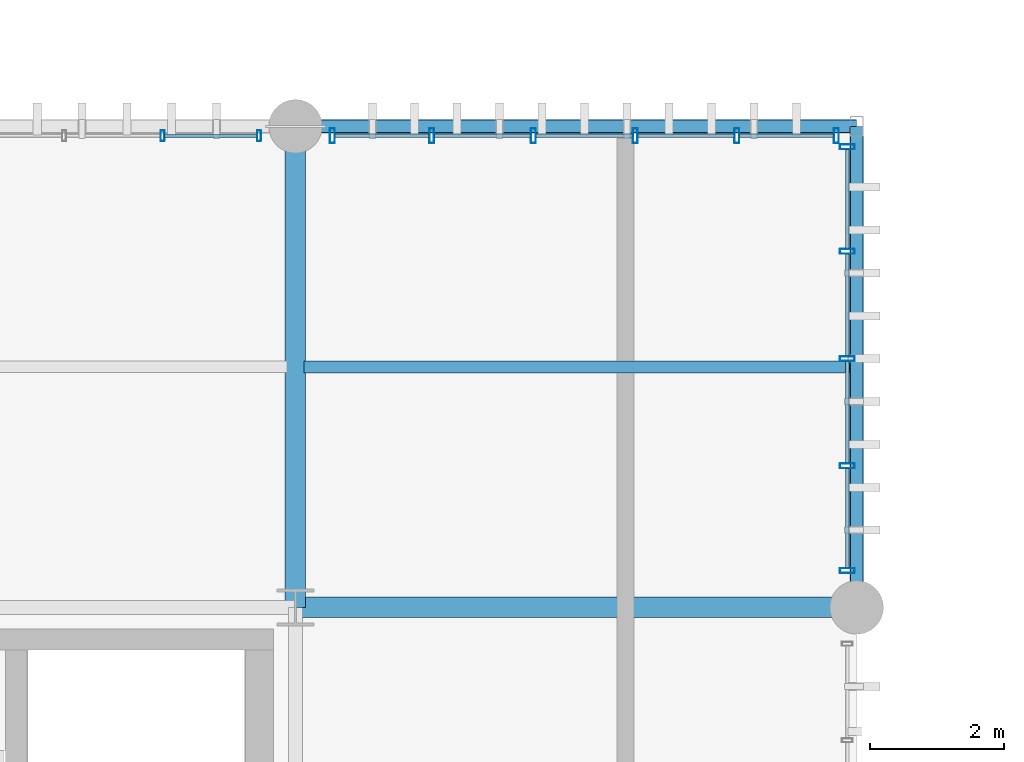
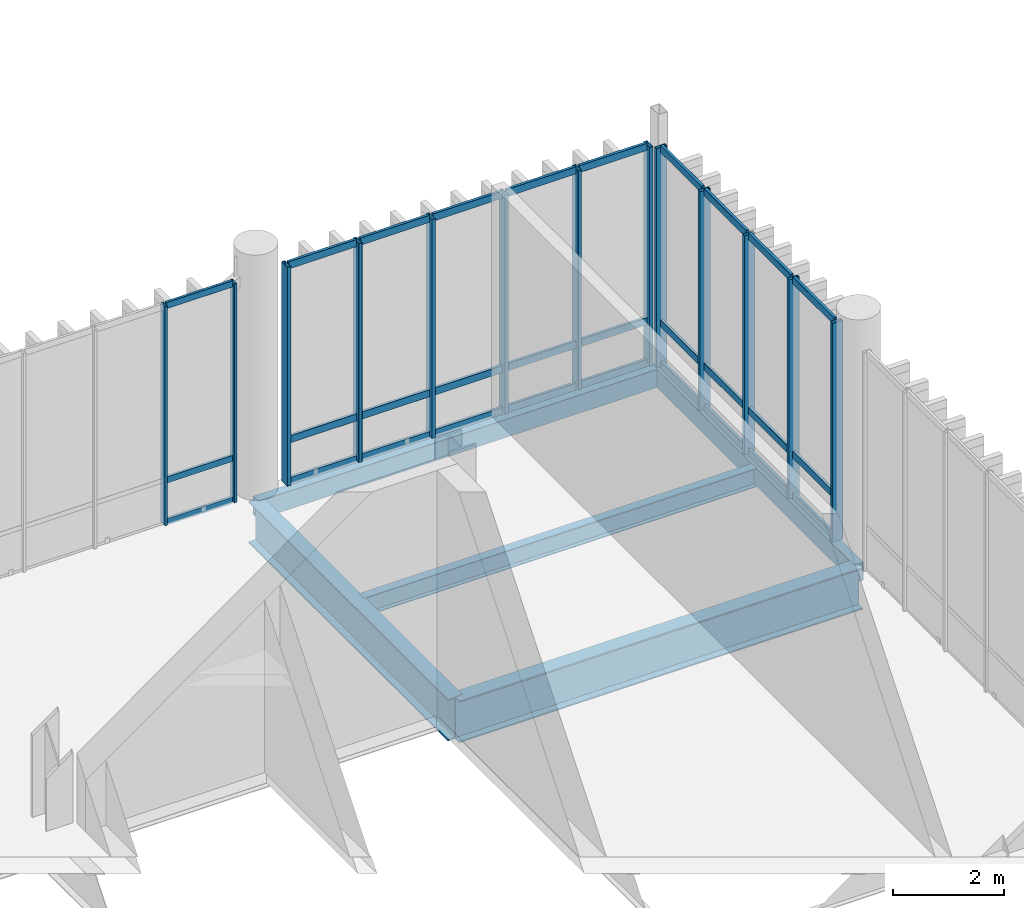
# One storey, part 68 of 128: 43 members, 5 beams, 3 elements without a shape of their own.
"""IFC4 building model written with IfcOpenShell, lengths in metres."""

import ifcopenshell
import ifcopenshell.guid

model = None  # the IFC model being written
_history = None  # IfcOwnerHistory: only IFC2X3 demands one
_inside = {}  # id of a spatial element -> (the spatial element, [elements in it])
_under = {}  # id of a project, library or spatial element -> (it, [spatial elements below it])
_declared = {}  # id of a project -> (the project, [libraries it declares])
_typed = {}  # id of a type object -> (the type object, [elements of that type])
_made_of = {}  # id of a material, layer set ... -> (it, [elements and type objects made of it])


def new_model(schema):
    """Start an empty IFC model of exactly this schema.

    Asked for "IFC4X3", IfcOpenShell would pick the latest addendum, in which some entities
    have other attributes; the version numbers below select the first issue.
    IFC2X3 requires an IfcOwnerHistory on every rooted entity: one is made here for all.
    """
    global model, _history
    if schema == "IFC4X3":
        model = ifcopenshell.file(schema_version=(4, 3, 0, 0))
    else:
        model = ifcopenshell.file(schema=schema)
    _inside.clear()
    _under.clear()
    _declared.clear()
    _typed.clear()
    _made_of.clear()
    _history = None
    if model.schema == "IFC2X3":
        org = make("IfcOrganization", Name="unknown")
        user = make(
            "IfcPersonAndOrganization",
            ThePerson=make("IfcPerson", FamilyName="unknown"),
            TheOrganization=org,
        )
        app = make(
            "IfcApplication",
            ApplicationDeveloper=org,
            Version="unknown",
            ApplicationFullName="unknown",
            ApplicationIdentifier="unknown",
        )
        _history = make(
            "IfcOwnerHistory",
            OwningUser=user,
            OwningApplication=app,
            ChangeAction="ADDED",
            CreationDate=0,
        )
    return model


def make(cls, **values):
    """One entity of the class cls with the attributes given. An attribute that is None is left unset."""
    return model.create_entity(
        cls, **{name: value for name, value in values.items() if value is not None}
    )


def rooted(cls, **values):
    """An entity with a GlobalId (a new one), such as an element, a storey or a relation."""
    return make(cls, GlobalId=ifcopenshell.guid.new(), OwnerHistory=_history, **values)


def si_unit(unit_type, name, prefix=None):
    """IfcSIUnit, for example si_unit("LENGTHUNIT", "METRE", prefix="MILLI")."""
    return make("IfcSIUnit", UnitType=unit_type, Prefix=prefix, Name=name)


def assignment(units):
    """IfcUnitAssignment: the units of a project."""
    return None if units is None else make("IfcUnitAssignment", Units=units)


def point(xyz):
    """IfcCartesianPoint."""
    return None if xyz is None else make("IfcCartesianPoint", Coordinates=xyz)


def direction(xyz):
    """IfcDirection."""
    return None if xyz is None else make("IfcDirection", DirectionRatios=xyz)


def frame(location, z_axis=None, x_axis=None):
    """IfcAxis2Placement3D, a coordinate frame: its origin and axes. An axis left out is left unset."""
    return make(
        "IfcAxis2Placement3D",
        Location=point(location),
        Axis=direction(z_axis),
        RefDirection=direction(x_axis),
    )


def frame_2d(location, x_axis=None):
    """IfcAxis2Placement2D, a coordinate frame in the plane: its origin and x axis."""
    return make(
        "IfcAxis2Placement2D", Location=point(location), RefDirection=direction(x_axis)
    )


def origin_with_axes():
    """The frame at (0, 0, 0) with the z axis (0, 0, 1) and the x axis (1, 0, 0) written out."""
    return frame((0.0, 0.0, 0.0), z_axis=(0.0, 0.0, 1.0), x_axis=(1.0, 0.0, 0.0))


def origin_2d_with_axis():
    """The frame at (0, 0) in the plane with the x axis (1, 0) written out."""
    return frame_2d((0.0, 0.0), x_axis=(1.0, 0.0))


def place(relative_to, where):
    """IfcLocalPlacement: puts the frame where relative to a parent placement (None: the world)."""
    return make(
        "IfcLocalPlacement", PlacementRelTo=relative_to, RelativePlacement=where
    )


def context(
    kind, dimensions, precision=None, world=None, true_north=None, identifier=None
):
    """IfcGeometricRepresentationContext, for example the 3D "Model" context."""
    return make(
        "IfcGeometricRepresentationContext",
        ContextIdentifier=identifier,
        ContextType=kind,
        CoordinateSpaceDimension=dimensions,
        Precision=precision,
        WorldCoordinateSystem=world,
        TrueNorth=true_north,
    )


def subcontext(parent, identifier, kind, view, scale=None):
    """IfcGeometricRepresentationSubContext, for example "Body" below "Model"."""
    return make(
        "IfcGeometricRepresentationSubContext",
        ContextIdentifier=identifier,
        ContextType=kind,
        ParentContext=parent,
        TargetScale=scale,
        TargetView=view,
    )


def project(units=None, contexts=None):
    """IfcProject with its units and contexts."""
    return rooted(
        "IfcProject",
        Name="project",
        RepresentationContexts=contexts,
        UnitsInContext=assignment(units),
    )


def spatial(cls, under=None, at=None, **own):
    """A site, building, storey or space (cls), placed at a placement, below another one or the project."""
    s = rooted(cls, ObjectPlacement=at, **own)
    if under is not None:
        _under.setdefault(under.id(), (under, []))[1].append(s)
    return s


def profile(cls, at=None, kind="AREA", **sizes):
    """A parametric profile (cls). Its sizes go by their IFC names, for example OverallWidth=200.0."""
    return make(cls, ProfileType=kind, Position=at, **sizes)


def hollow_rectangle(**sizes):
    """IfcRectangleHollowProfileDef."""
    return profile("IfcRectangleHollowProfileDef", **sizes)


def i_section(**sizes):
    """IfcIShapeProfileDef."""
    return profile("IfcIShapeProfileDef", **sizes)


def extrude(swept, where, along, depth):
    """IfcExtrudedAreaSolid: the profile swept, set in the frame where, extruded along a direction by depth."""
    return make(
        "IfcExtrudedAreaSolid",
        SweptArea=swept,
        Position=where,
        ExtrudedDirection=direction(along),
        Depth=depth,
    )


def shape(context_of_items, identifier, shape_type, items):
    """IfcShapeRepresentation: the items that make up one representation, for example the "Body"."""
    return make(
        "IfcShapeRepresentation",
        ContextOfItems=context_of_items,
        RepresentationIdentifier=identifier,
        RepresentationType=shape_type,
        Items=items,
    )


def material(Name=None, Category=None):
    """IfcMaterial."""
    return make("IfcMaterial", Name=Name, Category=Category)


def material_profile(
    of_material, cross_section, Name=None, Category=None, Priority=None
):
    """IfcMaterialProfile: a cross section and its material."""
    return make(
        "IfcMaterialProfile",
        Name=Name,
        Material=of_material,
        Profile=cross_section,
        Priority=Priority,
        Category=Category,
    )


def profile_set(profiles, Name=None, composite=None):
    """IfcMaterialProfileSet."""
    return make(
        "IfcMaterialProfileSet",
        Name=Name,
        MaterialProfiles=profiles,
        CompositeProfile=composite,
    )


def made_of(thing, what):
    """Note that an element or type object is made of a material, layer set ...; save() writes the relation."""
    if what is not None:
        _made_of.setdefault(what.id(), (what, []))[1].append(thing)
    return thing


def type_object(cls, material=None, **own):
    """A type object (cls), such as IfcWallType, which elements share."""
    return made_of(rooted(cls, **own), material)


def element(
    cls,
    number,
    at=None,
    inside=None,
    cuts=None,
    type_object=None,
    material=None,
    context=None,
    identifier="Body",
    shape_type=None,
    held_by="IfcProductDefinitionShape",
    body=None,
    shapes=None,
    **own,
):
    """One element of the class cls, such as IfcWall. Its Tag is "e" and its number.

    at: its placement. inside: the storey or other place that contains it. cuts: it is an
    opening in that element (IfcRelVoidsElement). A single representation is given by context,
    identifier, shape_type and body (its items); several are given by shapes. held_by: the class
    of the entity that holds the representations. save() writes the other relations.
    """
    e = rooted(cls, Tag="e%d" % number, ObjectPlacement=at, **own)
    if body is not None:
        shapes = [shape(context, identifier, shape_type, body)]
    if shapes is not None:
        e.Representation = make(held_by, Representations=shapes)
    if inside is not None:
        _inside.setdefault(inside.id(), (inside, []))[1].append(e)
    if cuts is not None:
        rooted(
            "IfcRelVoidsElement", RelatingBuildingElement=cuts, RelatedOpeningElement=e
        )
    if type_object is not None:
        _typed.setdefault(type_object.id(), (type_object, []))[1].append(e)
    return made_of(e, material)


def aggregate(whole, parts):
    """IfcRelAggregates: a whole, such as a stair, and the parts it consists of."""
    return rooted("IfcRelAggregates", RelatingObject=whole, RelatedObjects=parts)


def save(model, path):
    """Write the relations noted so far, then the file.

    IfcRelAggregates (storeys below a building ...), IfcRelContainedInSpatialStructure (elements
    in a storey), IfcRelDefinesByType, IfcRelAssociatesMaterial and IfcRelDeclares: one each for
    every whole, place, type object, material and project.
    """
    for whole, parts in _under.values():
        aggregate(whole, parts)
    for where, things in _inside.values():
        rooted(
            "IfcRelContainedInSpatialStructure",
            RelatedElements=things,
            RelatingStructure=where,
        )
    for kind, things in _typed.values():
        rooted("IfcRelDefinesByType", RelatedObjects=things, RelatingType=kind)
    for what, things in _made_of.values():
        rooted("IfcRelAssociatesMaterial", RelatedObjects=things, RelatingMaterial=what)
    for by, libraries in _declared.values():
        rooted("IfcRelDeclares", RelatingContext=by, RelatedDefinitions=libraries)
    model.write(path)


model = new_model("IFC4")

# Units and contexts
model_context = context("Model", 3, precision=1e-05, world=origin_with_axes(), true_north=direction((0.0, 1.0)))
body_context = subcontext(model_context, "Body", "Model", "MODEL_VIEW")
ifc_project = project(units=[si_unit("LENGTHUNIT", "METRE"), si_unit("AREAUNIT", "SQUARE_METRE"), si_unit("VOLUMEUNIT", "CUBIC_METRE"), si_unit("PLANEANGLEUNIT", "RADIAN"), si_unit("MASSUNIT", "GRAM", prefix="KILO"), si_unit("THERMODYNAMICTEMPERATUREUNIT", "KELVIN")], contexts=[model_context])

# Site, building, storey
site_placement = place(None, origin_with_axes())
site = spatial("IfcSite", under=ifc_project, at=site_placement, CompositionType="ELEMENT")
building_placement = place(site_placement, origin_with_axes())
building = spatial("IfcBuilding", under=site, at=building_placement, Name="Montbau Bow Law Courts", CompositionType="ELEMENT")
storey_placement = place(building_placement, frame((0.0, 0.0, 5.4), z_axis=(0.0, 0.0, 1.0), x_axis=(1.0, 0.0, 0.0)))
storey = spatial("IfcBuildingStorey", under=building, at=storey_placement, Name="L01", CompositionType="ELEMENT", Elevation=5.4)

# Beams
ifc_material_1 = material(Name="Steel CSA G40.21 Grade 350W (350 MPa)", Category="steel")
ifc_material_profile_1 = material_profile(ifc_material_1, i_section(OverallWidth=0.306, OverallDepth=0.919, WebThickness=0.0173, FlangeThickness=0.0279, at=origin_2d_with_axis()), Name="W920X253", Category="Main", Priority=0)
ifc_profile_set_1 = profile_set([ifc_material_profile_1], Name="Steel CSA G40.21 Grade 350W (350 MPa)")
beam_type_1 = type_object("IfcBeamType", Name="B-FLR-01", PredefinedType="BEAM", material=ifc_profile_set_1)
beam_1_placement = place(None, frame((88.8, 54.6, 4.7), z_axis=(1.0, 0.0, 0.0), x_axis=(0.0, 1.0, 0.0)))
element("IfcBeam", 1, at=beam_1_placement, inside=storey, type_object=beam_type_1, Name="BM-L01-S0815:bm2_0818", PredefinedType="BEAM", context=body_context, shape_type="SweptSolid", body=[
    extrude(i_section(OverallWidth=0.306, OverallDepth=0.919, WebThickness=0.0173, FlangeThickness=0.0279, at=origin_2d_with_axis()), origin_with_axes(), (0.0, 0.0, 1.0), 8.4),
])
beam_2_placement = place(None, frame((88.8, 54.6, 4.7), z_axis=(0.0, 1.0, 0.0), x_axis=(-1.0, 0.0, 0.0)))
element("IfcBeam", 2, at=beam_2_placement, inside=storey, type_object=beam_type_1, Name="BM-L01-S0836:bm2_0839", PredefinedType="BEAM", context=body_context, shape_type="SweptSolid", body=[
    extrude(i_section(OverallWidth=0.306, OverallDepth=0.919, WebThickness=0.0173, FlangeThickness=0.0279, at=origin_2d_with_axis()), origin_with_axes(), (0.0, 0.0, 1.0), 7.2),
])
ifc_material_profile_2 = material_profile(ifc_material_1, i_section(OverallWidth=0.179, OverallDepth=0.41, WebThickness=0.0088, FlangeThickness=0.0144, at=origin_2d_with_axis()), Name="W410X67", Category="Main", Priority=0)
ifc_profile_set_2 = profile_set([ifc_material_profile_2], Name="Steel CSA G40.21 Grade 350W (350 MPa)")
beam_type_2 = type_object("IfcBeamType", Name="B-JST-02", PredefinedType="JOIST", material=ifc_profile_set_2)
beam_3_placement = place(None, frame((88.929, 58.2, 4.955), z_axis=(1.0, 0.0, 0.0), x_axis=(0.0, 1.0, 0.0)))
element("IfcBeam", 3, at=beam_3_placement, inside=storey, type_object=beam_type_2, Name="JST-L01-S0433:jst2_0433", PredefinedType="JOIST", context=body_context, shape_type="SweptSolid", body=[
    extrude(i_section(OverallWidth=0.179, OverallDepth=0.41, WebThickness=0.0088, FlangeThickness=0.0144, at=origin_2d_with_axis()), origin_with_axes(), (0.0, 0.0, 1.0), 8.191),
])
ifc_material_2 = material(Name="Steel CSA G40.21 Grade 350WT (350 MPa)", Category="steel")
ifc_material_profile_3 = material_profile(ifc_material_2, hollow_rectangle(XDim=0.203, YDim=0.406, WallThickness=0.0127, InnerFilletRadius=0.0254, OuterFilletRadius=0.0127, at=origin_2d_with_axis()), Name="HSS406X203X13", Category="Main", Priority=0)
ifc_profile_set_3 = profile_set([ifc_material_profile_3], Name="Steel CSA G40.21 Grade 350WT (350 MPa)")
beam_type_3 = type_object("IfcBeamType", Name="B-SPN-01", PredefinedType="SPANDREL", material=ifc_profile_set_3)
beam_4_placement = place(None, frame((88.8, 61.8, 4.957), z_axis=(1.0, 0.0, 0.0), x_axis=(0.0, 1.0, 0.0)))
element("IfcBeam", 4, at=beam_4_placement, inside=storey, type_object=beam_type_3, Name="SPN-L01-S0821:bm2_0824", PredefinedType="SPANDREL", context=body_context, shape_type="SweptSolid", body=[
    extrude(hollow_rectangle(XDim=0.203, YDim=0.406, WallThickness=0.0127, InnerFilletRadius=0.0254, OuterFilletRadius=0.0127, at=origin_2d_with_axis()), origin_with_axes(), (0.0, 0.0, 1.0), 8.4),
])
beam_5_placement = place(None, frame((97.2, 54.6, 4.957), z_axis=(0.0, 1.0, 0.0), x_axis=(-1.0, 0.0, 0.0)))
element("IfcBeam", 5, at=beam_5_placement, inside=storey, type_object=beam_type_3, Name="SPN-L01-S0838:bm2_0841", PredefinedType="SPANDREL", context=body_context, shape_type="SweptSolid", body=[
    extrude(hollow_rectangle(XDim=0.203, YDim=0.406, WallThickness=0.0127, InnerFilletRadius=0.0254, OuterFilletRadius=0.0127, at=origin_2d_with_axis()), origin_with_axes(), (0.0, 0.0, 1.0), 7.2),
])

# Curtain wall, members
ifc_material_3 = material(Name="Thermally Broken Extruded Aluminium AA 6063-T6", Category="aluminium")
curtain_wall_type = type_object("IfcCurtainWallType", Name="CW-CRM-01", PredefinedType="NOTDEFINED", material=ifc_material_3)
curtain_wall_1_placement = place(None, frame((89.315, 61.66, 5.4), z_axis=(0.0, 0.0, 1.0), x_axis=(1.0, 0.0, 0.0)))
curtain_wall_1 = element("IfcCurtainWall", 6, at=curtain_wall_1_placement, inside=storey, type_object=curtain_wall_type, Name="CW-L01-150:cw_0150", PredefinedType="NOTDEFINED")
ifc_material_profile_4 = material_profile(ifc_material_3, hollow_rectangle(XDim=0.075, YDim=0.22, WallThickness=0.005, InnerFilletRadius=0.01, OuterFilletRadius=0.005, at=origin_2d_with_axis()), Name="CWM-220X75", Category="Main", Priority=0)
ifc_profile_set_4 = profile_set([ifc_material_profile_4], Name="Thermally Broken Extruded Aluminium AA 6063-T6")
member_type_1 = type_object("IfcMemberType", Name="M-MUL-01", PredefinedType="MULLION", material=ifc_profile_set_4)
member_1_placement = place(None, frame((89.352, 61.66, 5.4), z_axis=(0.0, 0.0, 1.0), x_axis=(1.0, 0.0, 0.0)))
member_1 = element("IfcMember", 7, at=member_1_placement, type_object=member_type_1, Name="CW-L01-150-M01:cw_0150_M01", PredefinedType="MULLION", context=body_context, shape_type="SweptSolid", body=[
    extrude(hollow_rectangle(XDim=0.075, YDim=0.22, WallThickness=0.005, InnerFilletRadius=0.01, OuterFilletRadius=0.005, at=origin_2d_with_axis()), origin_with_axes(), (0.0, 0.0, 1.0), 4.82),
])
member_2_placement = place(None, frame((90.839, 61.66, 5.4), z_axis=(0.0, 0.0, 1.0), x_axis=(1.0, 0.0, 0.0)))
member_2 = element("IfcMember", 8, at=member_2_placement, type_object=member_type_1, Name="CW-L01-150-M02:cw_0150_M02", PredefinedType="MULLION", context=body_context, shape_type="SweptSolid", body=[
    extrude(hollow_rectangle(XDim=0.075, YDim=0.22, WallThickness=0.005, InnerFilletRadius=0.01, OuterFilletRadius=0.005, at=origin_2d_with_axis()), origin_with_axes(), (0.0, 0.0, 1.0), 4.82),
])
member_3_placement = place(None, frame((92.362, 61.66, 5.4), z_axis=(0.0, 0.0, 1.0), x_axis=(1.0, 0.0, 0.0)))
member_3 = element("IfcMember", 9, at=member_3_placement, type_object=member_type_1, Name="CW-L01-150-M03:cw_0150_M03", PredefinedType="MULLION", context=body_context, shape_type="SweptSolid", body=[
    extrude(hollow_rectangle(XDim=0.075, YDim=0.22, WallThickness=0.005, InnerFilletRadius=0.01, OuterFilletRadius=0.005, at=origin_2d_with_axis()), origin_with_axes(), (0.0, 0.0, 1.0), 4.82),
])
member_4_placement = place(None, frame((93.886, 61.66, 5.4), z_axis=(0.0, 0.0, 1.0), x_axis=(1.0, 0.0, 0.0)))
member_4 = element("IfcMember", 10, at=member_4_placement, type_object=member_type_1, Name="CW-L01-150-M04:cw_0150_M04", PredefinedType="MULLION", context=body_context, shape_type="SweptSolid", body=[
    extrude(hollow_rectangle(XDim=0.075, YDim=0.22, WallThickness=0.005, InnerFilletRadius=0.01, OuterFilletRadius=0.005, at=origin_2d_with_axis()), origin_with_axes(), (0.0, 0.0, 1.0), 4.82),
])
member_5_placement = place(None, frame((95.409, 61.66, 5.4), z_axis=(0.0, 0.0, 1.0), x_axis=(1.0, 0.0, 0.0)))
member_5 = element("IfcMember", 11, at=member_5_placement, type_object=member_type_1, Name="CW-L01-150-M05:cw_0150_M05", PredefinedType="MULLION", context=body_context, shape_type="SweptSolid", body=[
    extrude(hollow_rectangle(XDim=0.075, YDim=0.22, WallThickness=0.005, InnerFilletRadius=0.01, OuterFilletRadius=0.005, at=origin_2d_with_axis()), origin_with_axes(), (0.0, 0.0, 1.0), 4.82),
])
member_6_placement = place(None, frame((96.896, 61.66, 5.4), z_axis=(0.0, 0.0, 1.0), x_axis=(1.0, 0.0, 0.0)))
member_6 = element("IfcMember", 12, at=member_6_placement, type_object=member_type_1, Name="CW-L01-150-M06:cw_0150_M06", PredefinedType="MULLION", context=body_context, shape_type="SweptSolid", body=[
    extrude(hollow_rectangle(XDim=0.075, YDim=0.22, WallThickness=0.005, InnerFilletRadius=0.01, OuterFilletRadius=0.005, at=origin_2d_with_axis()), origin_with_axes(), (0.0, 0.0, 1.0), 4.82),
])

curtain_wall_2_placement = place(None, frame((97.06, 55.115, 5.4), z_axis=(0.0, 0.0, 1.0), x_axis=(1.0, 0.0, 0.0)))
curtain_wall_2 = element("IfcCurtainWall", 13, at=curtain_wall_2_placement, inside=storey, type_object=curtain_wall_type, Name="CW-L01-156:cw_0156", PredefinedType="NOTDEFINED")
member_7_placement = place(None, frame((97.06, 55.152, 5.4), z_axis=(0.0, 0.0, 1.0), x_axis=(0.0, 1.0, 0.0)))
member_7 = element("IfcMember", 14, at=member_7_placement, type_object=member_type_1, Name="CW-L01-156-M01:cw_0156_M01", PredefinedType="MULLION", context=body_context, shape_type="SweptSolid", body=[
    extrude(hollow_rectangle(XDim=0.075, YDim=0.22, WallThickness=0.005, InnerFilletRadius=0.01, OuterFilletRadius=0.005, at=origin_2d_with_axis()), origin_with_axes(), (0.0, 0.0, 1.0), 4.82),
])
member_8_placement = place(None, frame((97.06, 56.719, 5.4), z_axis=(0.0, 0.0, 1.0), x_axis=(0.0, 1.0, 0.0)))
member_8 = element("IfcMember", 15, at=member_8_placement, type_object=member_type_1, Name="CW-L01-156-M02:cw_0156_M02", PredefinedType="MULLION", context=body_context, shape_type="SweptSolid", body=[
    extrude(hollow_rectangle(XDim=0.075, YDim=0.22, WallThickness=0.005, InnerFilletRadius=0.01, OuterFilletRadius=0.005, at=origin_2d_with_axis()), origin_with_axes(), (0.0, 0.0, 1.0), 4.82),
])
member_9_placement = place(None, frame((97.06, 58.323, 5.4), z_axis=(0.0, 0.0, 1.0), x_axis=(0.0, 1.0, 0.0)))
member_9 = element("IfcMember", 16, at=member_9_placement, type_object=member_type_1, Name="CW-L01-156-M03:cw_0156_M03", PredefinedType="MULLION", context=body_context, shape_type="SweptSolid", body=[
    extrude(hollow_rectangle(XDim=0.075, YDim=0.22, WallThickness=0.005, InnerFilletRadius=0.01, OuterFilletRadius=0.005, at=origin_2d_with_axis()), origin_with_axes(), (0.0, 0.0, 1.0), 4.82),
])
member_10_placement = place(None, frame((97.06, 59.928, 5.4), z_axis=(0.0, 0.0, 1.0), x_axis=(0.0, 1.0, 0.0)))
member_10 = element("IfcMember", 17, at=member_10_placement, type_object=member_type_1, Name="CW-L01-156-M04:cw_0156_M04", PredefinedType="MULLION", context=body_context, shape_type="SweptSolid", body=[
    extrude(hollow_rectangle(XDim=0.075, YDim=0.22, WallThickness=0.005, InnerFilletRadius=0.01, OuterFilletRadius=0.005, at=origin_2d_with_axis()), origin_with_axes(), (0.0, 0.0, 1.0), 4.82),
])
member_11_placement = place(None, frame((97.06, 61.494, 5.4), z_axis=(0.0, 0.0, 1.0), x_axis=(0.0, 1.0, 0.0)))
member_11 = element("IfcMember", 18, at=member_11_placement, type_object=member_type_1, Name="CW-L01-156-M05:cw_0156_M05", PredefinedType="MULLION", context=body_context, shape_type="SweptSolid", body=[
    extrude(hollow_rectangle(XDim=0.075, YDim=0.22, WallThickness=0.005, InnerFilletRadius=0.01, OuterFilletRadius=0.005, at=origin_2d_with_axis()), origin_with_axes(), (0.0, 0.0, 1.0), 4.82),
])

curtain_wall_3_placement = place(None, frame((80.915, 61.66, 5.4), z_axis=(0.0, 0.0, 1.0), x_axis=(1.0, 0.0, 0.0)))
curtain_wall_3 = element("IfcCurtainWall", 19, at=curtain_wall_3_placement, inside=storey, type_object=curtain_wall_type, Name="CW-L01-149:cw_0149", PredefinedType="NOTDEFINED")
ifc_material_profile_5 = material_profile(ifc_material_3, hollow_rectangle(XDim=0.06, YDim=0.16, WallThickness=0.004, InnerFilletRadius=0.008, OuterFilletRadius=0.004, at=origin_2d_with_axis()), Name="CWM-160X60", Category="Main", Priority=0)
ifc_profile_set_5 = profile_set([ifc_material_profile_5], Name="Thermally Broken Extruded Aluminium AA 6063-T6")
member_type_2 = type_object("IfcMemberType", Name="M-MUL-03", PredefinedType="MULLION", material=ifc_profile_set_5)
member_12_placement = place(None, frame((86.811, 61.66, 5.4), z_axis=(0.0, 0.0, 1.0), x_axis=(1.0, 0.0, 0.0)))
member_12 = element("IfcMember", 20, at=member_12_placement, type_object=member_type_2, Name="CW-L01-149-M05:cw_0149_M05", PredefinedType="MULLION", context=body_context, shape_type="SweptSolid", body=[
    extrude(hollow_rectangle(XDim=0.06, YDim=0.16, WallThickness=0.004, InnerFilletRadius=0.008, OuterFilletRadius=0.004, at=origin_2d_with_axis()), origin_with_axes(), (0.0, 0.0, 1.0), 4.82),
])
member_13_placement = place(None, frame((88.255, 61.66, 5.4), z_axis=(0.0, 0.0, 1.0), x_axis=(1.0, 0.0, 0.0)))
member_13 = element("IfcMember", 21, at=member_13_placement, type_object=member_type_2, Name="CW-L01-149-M06:cw_0149_M06", PredefinedType="MULLION", context=body_context, shape_type="SweptSolid", body=[
    extrude(hollow_rectangle(XDim=0.06, YDim=0.16, WallThickness=0.004, InnerFilletRadius=0.008, OuterFilletRadius=0.004, at=origin_2d_with_axis()), origin_with_axes(), (0.0, 0.0, 1.0), 4.82),
])

# Member
ifc_material_profile_6 = material_profile(ifc_material_3, hollow_rectangle(XDim=0.06, YDim=0.16, WallThickness=0.004, InnerFilletRadius=0.008, OuterFilletRadius=0.004, at=origin_2d_with_axis()), Name="CWT-160X60", Category="Main", Priority=0)
ifc_profile_set_6 = profile_set([ifc_material_profile_6], Name="Thermally Broken Extruded Aluminium AA 6063-T6")
member_type_3 = type_object("IfcMemberType", Name="M-TRN-01", PredefinedType="USERDEFINED", material=ifc_profile_set_6)
member_14_placement = place(None, frame((89.391, 61.66, 5.43), z_axis=(1.0, 0.0, 0.0), x_axis=(0.0, 1.0, 0.0)))
member_14 = element("IfcMember", 22, at=member_14_placement, type_object=member_type_3, Name="CW-L01-150-T01-1:cw_0150_T01_1", ObjectType="TRANSOM", PredefinedType="USERDEFINED", context=body_context, shape_type="SweptSolid", body=[
    extrude(hollow_rectangle(XDim=0.06, YDim=0.16, WallThickness=0.004, InnerFilletRadius=0.008, OuterFilletRadius=0.004, at=origin_2d_with_axis()), origin_with_axes(), (0.0, 0.0, 1.0), 1.408),
])

member_15_placement = place(None, frame((89.391, 61.66, 6.35), z_axis=(1.0, 0.0, 0.0), x_axis=(0.0, 1.0, 0.0)))
member_15 = element("IfcMember", 23, at=member_15_placement, type_object=member_type_3, Name="CW-L01-150-T01-2:cw_0150_T01_2", ObjectType="TRANSOM", PredefinedType="USERDEFINED", context=body_context, shape_type="SweptSolid", body=[
    extrude(hollow_rectangle(XDim=0.06, YDim=0.16, WallThickness=0.004, InnerFilletRadius=0.008, OuterFilletRadius=0.004, at=origin_2d_with_axis()), origin_with_axes(), (0.0, 0.0, 1.0), 1.408),
])

member_16_placement = place(None, frame((89.391, 61.66, 10.19), z_axis=(1.0, 0.0, 0.0), x_axis=(0.0, 1.0, 0.0)))
member_16 = element("IfcMember", 24, at=member_16_placement, type_object=member_type_3, Name="CW-L01-150-T01-3:cw_0150_T01_3", ObjectType="TRANSOM", PredefinedType="USERDEFINED", context=body_context, shape_type="SweptSolid", body=[
    extrude(hollow_rectangle(XDim=0.06, YDim=0.16, WallThickness=0.004, InnerFilletRadius=0.008, OuterFilletRadius=0.004, at=origin_2d_with_axis()), origin_with_axes(), (0.0, 0.0, 1.0), 1.408),
])

member_17_placement = place(None, frame((90.879, 61.66, 5.43), z_axis=(1.0, 0.0, 0.0), x_axis=(0.0, 1.0, 0.0)))
member_17 = element("IfcMember", 25, at=member_17_placement, type_object=member_type_3, Name="CW-L01-150-T02-1:cw_0150_T02_1", ObjectType="TRANSOM", PredefinedType="USERDEFINED", context=body_context, shape_type="SweptSolid", body=[
    extrude(hollow_rectangle(XDim=0.06, YDim=0.16, WallThickness=0.004, InnerFilletRadius=0.008, OuterFilletRadius=0.004, at=origin_2d_with_axis()), origin_with_axes(), (0.0, 0.0, 1.0), 1.444),
])

member_18_placement = place(None, frame((90.879, 61.66, 6.35), z_axis=(1.0, 0.0, 0.0), x_axis=(0.0, 1.0, 0.0)))
member_18 = element("IfcMember", 26, at=member_18_placement, type_object=member_type_3, Name="CW-L01-150-T02-2:cw_0150_T02_2", ObjectType="TRANSOM", PredefinedType="USERDEFINED", context=body_context, shape_type="SweptSolid", body=[
    extrude(hollow_rectangle(XDim=0.06, YDim=0.16, WallThickness=0.004, InnerFilletRadius=0.008, OuterFilletRadius=0.004, at=origin_2d_with_axis()), origin_with_axes(), (0.0, 0.0, 1.0), 1.444),
])

member_19_placement = place(None, frame((90.879, 61.66, 10.19), z_axis=(1.0, 0.0, 0.0), x_axis=(0.0, 1.0, 0.0)))
member_19 = element("IfcMember", 27, at=member_19_placement, type_object=member_type_3, Name="CW-L01-150-T02-3:cw_0150_T02_3", ObjectType="TRANSOM", PredefinedType="USERDEFINED", context=body_context, shape_type="SweptSolid", body=[
    extrude(hollow_rectangle(XDim=0.06, YDim=0.16, WallThickness=0.004, InnerFilletRadius=0.008, OuterFilletRadius=0.004, at=origin_2d_with_axis()), origin_with_axes(), (0.0, 0.0, 1.0), 1.444),
])

member_20_placement = place(None, frame((92.402, 61.66, 5.43), z_axis=(1.0, 0.0, 0.0), x_axis=(0.0, 1.0, 0.0)))
member_20 = element("IfcMember", 28, at=member_20_placement, type_object=member_type_3, Name="CW-L01-150-T03-1:cw_0150_T03_1", ObjectType="TRANSOM", PredefinedType="USERDEFINED", context=body_context, shape_type="SweptSolid", body=[
    extrude(hollow_rectangle(XDim=0.06, YDim=0.16, WallThickness=0.004, InnerFilletRadius=0.008, OuterFilletRadius=0.004, at=origin_2d_with_axis()), origin_with_axes(), (0.0, 0.0, 1.0), 1.445),
])

member_21_placement = place(None, frame((92.402, 61.66, 6.35), z_axis=(1.0, 0.0, 0.0), x_axis=(0.0, 1.0, 0.0)))
member_21 = element("IfcMember", 29, at=member_21_placement, type_object=member_type_3, Name="CW-L01-150-T03-2:cw_0150_T03_2", ObjectType="TRANSOM", PredefinedType="USERDEFINED", context=body_context, shape_type="SweptSolid", body=[
    extrude(hollow_rectangle(XDim=0.06, YDim=0.16, WallThickness=0.004, InnerFilletRadius=0.008, OuterFilletRadius=0.004, at=origin_2d_with_axis()), origin_with_axes(), (0.0, 0.0, 1.0), 1.445),
])

member_22_placement = place(None, frame((92.402, 61.66, 10.19), z_axis=(1.0, 0.0, 0.0), x_axis=(0.0, 1.0, 0.0)))
member_22 = element("IfcMember", 30, at=member_22_placement, type_object=member_type_3, Name="CW-L01-150-T03-3:cw_0150_T03_3", ObjectType="TRANSOM", PredefinedType="USERDEFINED", context=body_context, shape_type="SweptSolid", body=[
    extrude(hollow_rectangle(XDim=0.06, YDim=0.16, WallThickness=0.004, InnerFilletRadius=0.008, OuterFilletRadius=0.004, at=origin_2d_with_axis()), origin_with_axes(), (0.0, 0.0, 1.0), 1.445),
])

member_23_placement = place(None, frame((93.925, 61.66, 5.43), z_axis=(1.0, 0.0, 0.0), x_axis=(0.0, 1.0, 0.0)))
member_23 = element("IfcMember", 31, at=member_23_placement, type_object=member_type_3, Name="CW-L01-150-T04-1:cw_0150_T04_1", ObjectType="TRANSOM", PredefinedType="USERDEFINED", context=body_context, shape_type="SweptSolid", body=[
    extrude(hollow_rectangle(XDim=0.06, YDim=0.16, WallThickness=0.004, InnerFilletRadius=0.008, OuterFilletRadius=0.004, at=origin_2d_with_axis()), origin_with_axes(), (0.0, 0.0, 1.0), 1.445),
])

member_24_placement = place(None, frame((93.925, 61.66, 6.35), z_axis=(1.0, 0.0, 0.0), x_axis=(0.0, 1.0, 0.0)))
member_24 = element("IfcMember", 32, at=member_24_placement, type_object=member_type_3, Name="CW-L01-150-T04-2:cw_0150_T04_2", ObjectType="TRANSOM", PredefinedType="USERDEFINED", context=body_context, shape_type="SweptSolid", body=[
    extrude(hollow_rectangle(XDim=0.06, YDim=0.16, WallThickness=0.004, InnerFilletRadius=0.008, OuterFilletRadius=0.004, at=origin_2d_with_axis()), origin_with_axes(), (0.0, 0.0, 1.0), 1.445),
])

member_25_placement = place(None, frame((93.925, 61.66, 10.19), z_axis=(1.0, 0.0, 0.0), x_axis=(0.0, 1.0, 0.0)))
member_25 = element("IfcMember", 33, at=member_25_placement, type_object=member_type_3, Name="CW-L01-150-T04-3:cw_0150_T04_3", ObjectType="TRANSOM", PredefinedType="USERDEFINED", context=body_context, shape_type="SweptSolid", body=[
    extrude(hollow_rectangle(XDim=0.06, YDim=0.16, WallThickness=0.004, InnerFilletRadius=0.008, OuterFilletRadius=0.004, at=origin_2d_with_axis()), origin_with_axes(), (0.0, 0.0, 1.0), 1.445),
])

member_26_placement = place(None, frame((95.448, 61.66, 5.43), z_axis=(1.0, 0.0, 0.0), x_axis=(0.0, 1.0, 0.0)))
member_26 = element("IfcMember", 34, at=member_26_placement, type_object=member_type_3, Name="CW-L01-150-T05-1:cw_0150_T05_1", ObjectType="TRANSOM", PredefinedType="USERDEFINED", context=body_context, shape_type="SweptSolid", body=[
    extrude(hollow_rectangle(XDim=0.06, YDim=0.16, WallThickness=0.004, InnerFilletRadius=0.008, OuterFilletRadius=0.004, at=origin_2d_with_axis()), origin_with_axes(), (0.0, 0.0, 1.0), 1.409),
])

member_27_placement = place(None, frame((95.448, 61.66, 6.35), z_axis=(1.0, 0.0, 0.0), x_axis=(0.0, 1.0, 0.0)))
member_27 = element("IfcMember", 35, at=member_27_placement, type_object=member_type_3, Name="CW-L01-150-T05-2:cw_0150_T05_2", ObjectType="TRANSOM", PredefinedType="USERDEFINED", context=body_context, shape_type="SweptSolid", body=[
    extrude(hollow_rectangle(XDim=0.06, YDim=0.16, WallThickness=0.004, InnerFilletRadius=0.008, OuterFilletRadius=0.004, at=origin_2d_with_axis()), origin_with_axes(), (0.0, 0.0, 1.0), 1.409),
])

member_28_placement = place(None, frame((95.448, 61.66, 10.19), z_axis=(1.0, 0.0, 0.0), x_axis=(0.0, 1.0, 0.0)))
member_28 = element("IfcMember", 36, at=member_28_placement, type_object=member_type_3, Name="CW-L01-150-T05-3:cw_0150_T05_3", ObjectType="TRANSOM", PredefinedType="USERDEFINED", context=body_context, shape_type="SweptSolid", body=[
    extrude(hollow_rectangle(XDim=0.06, YDim=0.16, WallThickness=0.004, InnerFilletRadius=0.008, OuterFilletRadius=0.004, at=origin_2d_with_axis()), origin_with_axes(), (0.0, 0.0, 1.0), 1.409),
])

aggregate(curtain_wall_1, [member_1, member_2, member_3, member_4, member_5, member_6, member_14, member_15, member_16, member_17, member_18, member_19, member_20, member_21, member_22, member_23, member_24, member_25, member_26, member_27, member_28])

member_29_placement = place(None, frame((97.06, 55.191, 5.43), z_axis=(0.0, 1.0, 0.0), x_axis=(-1.0, 0.0, 0.0)))
member_29 = element("IfcMember", 37, at=member_29_placement, type_object=member_type_3, Name="CW-L01-156-T01-1:cw_0156_T01_1", ObjectType="TRANSOM", PredefinedType="USERDEFINED", context=body_context, shape_type="SweptSolid", body=[
    extrude(hollow_rectangle(XDim=0.06, YDim=0.16, WallThickness=0.004, InnerFilletRadius=0.008, OuterFilletRadius=0.004, at=origin_2d_with_axis()), origin_with_axes(), (0.0, 0.0, 1.0), 1.489),
])

member_30_placement = place(None, frame((97.06, 55.191, 6.35), z_axis=(0.0, 1.0, 0.0), x_axis=(-1.0, 0.0, 0.0)))
member_30 = element("IfcMember", 38, at=member_30_placement, type_object=member_type_3, Name="CW-L01-156-T01-2:cw_0156_T01_2", ObjectType="TRANSOM", PredefinedType="USERDEFINED", context=body_context, shape_type="SweptSolid", body=[
    extrude(hollow_rectangle(XDim=0.06, YDim=0.16, WallThickness=0.004, InnerFilletRadius=0.008, OuterFilletRadius=0.004, at=origin_2d_with_axis()), origin_with_axes(), (0.0, 0.0, 1.0), 1.489),
])

member_31_placement = place(None, frame((97.06, 55.191, 10.19), z_axis=(0.0, 1.0, 0.0), x_axis=(-1.0, 0.0, 0.0)))
member_31 = element("IfcMember", 39, at=member_31_placement, type_object=member_type_3, Name="CW-L01-156-T01-3:cw_0156_T01_3", ObjectType="TRANSOM", PredefinedType="USERDEFINED", context=body_context, shape_type="SweptSolid", body=[
    extrude(hollow_rectangle(XDim=0.06, YDim=0.16, WallThickness=0.004, InnerFilletRadius=0.008, OuterFilletRadius=0.004, at=origin_2d_with_axis()), origin_with_axes(), (0.0, 0.0, 1.0), 1.489),
])

member_32_placement = place(None, frame((97.06, 56.759, 5.43), z_axis=(0.0, 1.0, 0.0), x_axis=(-1.0, 0.0, 0.0)))
member_32 = element("IfcMember", 40, at=member_32_placement, type_object=member_type_3, Name="CW-L01-156-T02-1:cw_0156_T02_1", ObjectType="TRANSOM", PredefinedType="USERDEFINED", context=body_context, shape_type="SweptSolid", body=[
    extrude(hollow_rectangle(XDim=0.06, YDim=0.16, WallThickness=0.004, InnerFilletRadius=0.008, OuterFilletRadius=0.004, at=origin_2d_with_axis()), origin_with_axes(), (0.0, 0.0, 1.0), 1.525),
])

member_33_placement = place(None, frame((97.06, 56.759, 6.35), z_axis=(0.0, 1.0, 0.0), x_axis=(-1.0, 0.0, 0.0)))
member_33 = element("IfcMember", 41, at=member_33_placement, type_object=member_type_3, Name="CW-L01-156-T02-2:cw_0156_T02_2", ObjectType="TRANSOM", PredefinedType="USERDEFINED", context=body_context, shape_type="SweptSolid", body=[
    extrude(hollow_rectangle(XDim=0.06, YDim=0.16, WallThickness=0.004, InnerFilletRadius=0.008, OuterFilletRadius=0.004, at=origin_2d_with_axis()), origin_with_axes(), (0.0, 0.0, 1.0), 1.525),
])

member_34_placement = place(None, frame((97.06, 56.759, 10.19), z_axis=(0.0, 1.0, 0.0), x_axis=(-1.0, 0.0, 0.0)))
member_34 = element("IfcMember", 42, at=member_34_placement, type_object=member_type_3, Name="CW-L01-156-T02-3:cw_0156_T02_3", ObjectType="TRANSOM", PredefinedType="USERDEFINED", context=body_context, shape_type="SweptSolid", body=[
    extrude(hollow_rectangle(XDim=0.06, YDim=0.16, WallThickness=0.004, InnerFilletRadius=0.008, OuterFilletRadius=0.004, at=origin_2d_with_axis()), origin_with_axes(), (0.0, 0.0, 1.0), 1.525),
])

member_35_placement = place(None, frame((97.06, 58.363, 5.43), z_axis=(0.0, 1.0, 0.0), x_axis=(-1.0, 0.0, 0.0)))
member_35 = element("IfcMember", 43, at=member_35_placement, type_object=member_type_3, Name="CW-L01-156-T03-1:cw_0156_T03_1", ObjectType="TRANSOM", PredefinedType="USERDEFINED", context=body_context, shape_type="SweptSolid", body=[
    extrude(hollow_rectangle(XDim=0.06, YDim=0.16, WallThickness=0.004, InnerFilletRadius=0.008, OuterFilletRadius=0.004, at=origin_2d_with_axis()), origin_with_axes(), (0.0, 0.0, 1.0), 1.526),
])

member_36_placement = place(None, frame((97.06, 58.363, 6.35), z_axis=(0.0, 1.0, 0.0), x_axis=(-1.0, 0.0, 0.0)))
member_36 = element("IfcMember", 44, at=member_36_placement, type_object=member_type_3, Name="CW-L01-156-T03-2:cw_0156_T03_2", ObjectType="TRANSOM", PredefinedType="USERDEFINED", context=body_context, shape_type="SweptSolid", body=[
    extrude(hollow_rectangle(XDim=0.06, YDim=0.16, WallThickness=0.004, InnerFilletRadius=0.008, OuterFilletRadius=0.004, at=origin_2d_with_axis()), origin_with_axes(), (0.0, 0.0, 1.0), 1.526),
])

member_37_placement = place(None, frame((97.06, 58.363, 10.19), z_axis=(0.0, 1.0, 0.0), x_axis=(-1.0, 0.0, 0.0)))
member_37 = element("IfcMember", 45, at=member_37_placement, type_object=member_type_3, Name="CW-L01-156-T03-3:cw_0156_T03_3", ObjectType="TRANSOM", PredefinedType="USERDEFINED", context=body_context, shape_type="SweptSolid", body=[
    extrude(hollow_rectangle(XDim=0.06, YDim=0.16, WallThickness=0.004, InnerFilletRadius=0.008, OuterFilletRadius=0.004, at=origin_2d_with_axis()), origin_with_axes(), (0.0, 0.0, 1.0), 1.526),
])

member_38_placement = place(None, frame((97.06, 59.967, 5.43), z_axis=(0.0, 1.0, 0.0), x_axis=(-1.0, 0.0, 0.0)))
member_38 = element("IfcMember", 46, at=member_38_placement, type_object=member_type_3, Name="CW-L01-156-T04-1:cw_0156_T04_1", ObjectType="TRANSOM", PredefinedType="USERDEFINED", context=body_context, shape_type="SweptSolid", body=[
    extrude(hollow_rectangle(XDim=0.06, YDim=0.16, WallThickness=0.004, InnerFilletRadius=0.008, OuterFilletRadius=0.004, at=origin_2d_with_axis()), origin_with_axes(), (0.0, 0.0, 1.0), 1.488),
])

member_39_placement = place(None, frame((97.06, 59.967, 6.35), z_axis=(0.0, 1.0, 0.0), x_axis=(-1.0, 0.0, 0.0)))
member_39 = element("IfcMember", 47, at=member_39_placement, type_object=member_type_3, Name="CW-L01-156-T04-2:cw_0156_T04_2", ObjectType="TRANSOM", PredefinedType="USERDEFINED", context=body_context, shape_type="SweptSolid", body=[
    extrude(hollow_rectangle(XDim=0.06, YDim=0.16, WallThickness=0.004, InnerFilletRadius=0.008, OuterFilletRadius=0.004, at=origin_2d_with_axis()), origin_with_axes(), (0.0, 0.0, 1.0), 1.488),
])

member_40_placement = place(None, frame((97.06, 59.967, 10.19), z_axis=(0.0, 1.0, 0.0), x_axis=(-1.0, 0.0, 0.0)))
member_40 = element("IfcMember", 48, at=member_40_placement, type_object=member_type_3, Name="CW-L01-156-T04-3:cw_0156_T04_3", ObjectType="TRANSOM", PredefinedType="USERDEFINED", context=body_context, shape_type="SweptSolid", body=[
    extrude(hollow_rectangle(XDim=0.06, YDim=0.16, WallThickness=0.004, InnerFilletRadius=0.008, OuterFilletRadius=0.004, at=origin_2d_with_axis()), origin_with_axes(), (0.0, 0.0, 1.0), 1.488),
])

aggregate(curtain_wall_2, [member_7, member_8, member_9, member_10, member_11, member_29, member_30, member_31, member_32, member_33, member_34, member_35, member_36, member_37, member_38, member_39, member_40])

ifc_material_profile_7 = material_profile(ifc_material_3, hollow_rectangle(XDim=0.055, YDim=0.14, WallThickness=0.004, InnerFilletRadius=0.008, OuterFilletRadius=0.004, at=origin_2d_with_axis()), Name="CWT-140X55", Category="Main", Priority=0)
ifc_profile_set_7 = profile_set([ifc_material_profile_7], Name="Thermally Broken Extruded Aluminium AA 6063-T6")
member_type_4 = type_object("IfcMemberType", Name="M-TRN-02", PredefinedType="USERDEFINED", material=ifc_profile_set_7)
member_41_placement = place(None, frame((86.843, 61.66, 5.428), z_axis=(1.0, 0.0, 0.0), x_axis=(0.0, 1.0, 0.0)))
member_41 = element("IfcMember", 49, at=member_41_placement, type_object=member_type_4, Name="CW-L01-149-T05-1:cw_0149_T05_1", ObjectType="TRANSOM", PredefinedType="USERDEFINED", context=body_context, shape_type="SweptSolid", body=[
    extrude(hollow_rectangle(XDim=0.055, YDim=0.14, WallThickness=0.004, InnerFilletRadius=0.008, OuterFilletRadius=0.004, at=origin_2d_with_axis()), origin_with_axes(), (0.0, 0.0, 1.0), 1.38),
])

member_42_placement = place(None, frame((86.843, 61.66, 6.35), z_axis=(1.0, 0.0, 0.0), x_axis=(0.0, 1.0, 0.0)))
member_42 = element("IfcMember", 50, at=member_42_placement, type_object=member_type_4, Name="CW-L01-149-T05-2:cw_0149_T05_2", ObjectType="TRANSOM", PredefinedType="USERDEFINED", context=body_context, shape_type="SweptSolid", body=[
    extrude(hollow_rectangle(XDim=0.055, YDim=0.14, WallThickness=0.004, InnerFilletRadius=0.008, OuterFilletRadius=0.004, at=origin_2d_with_axis()), origin_with_axes(), (0.0, 0.0, 1.0), 1.38),
])

member_43_placement = place(None, frame((86.843, 61.66, 10.193), z_axis=(1.0, 0.0, 0.0), x_axis=(0.0, 1.0, 0.0)))
member_43 = element("IfcMember", 51, at=member_43_placement, type_object=member_type_4, Name="CW-L01-149-T05-3:cw_0149_T05_3", ObjectType="TRANSOM", PredefinedType="USERDEFINED", context=body_context, shape_type="SweptSolid", body=[
    extrude(hollow_rectangle(XDim=0.055, YDim=0.14, WallThickness=0.004, InnerFilletRadius=0.008, OuterFilletRadius=0.004, at=origin_2d_with_axis()), origin_with_axes(), (0.0, 0.0, 1.0), 1.38),
])

aggregate(curtain_wall_3, [member_12, member_13, member_41, member_42, member_43])

save(model, "model.ifc")
